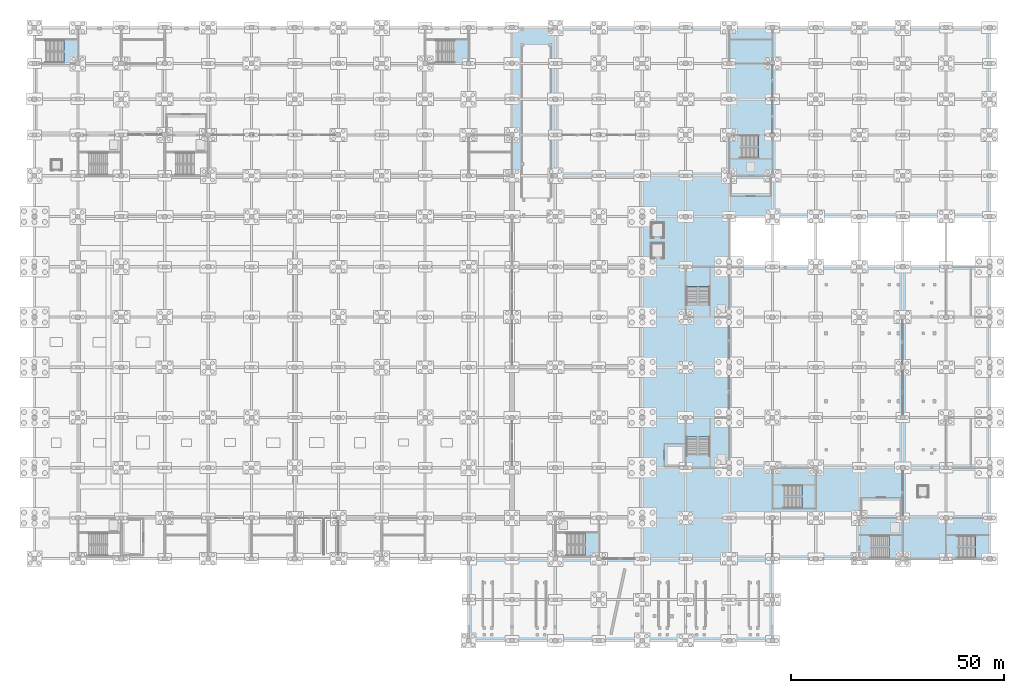
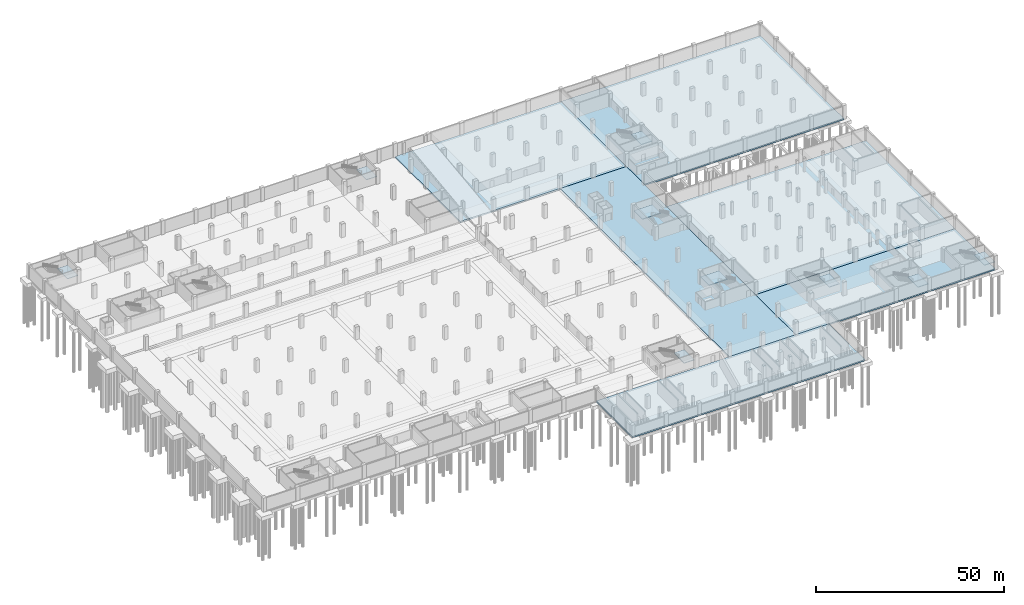
# One storey, part 26 of 52: 15 slabs, 9 elements without a shape of their own.
"""IFC4 building model written with IfcOpenShell, lengths in metres."""

from ifc_helpers import new_model, si_unit, direction, frame, origin, place, context, subcontext, project, spatial, polyline, outline, extrude, material, layer, layer_set, type_object, element, aggregate, save


model = new_model("IFC4")

# Units and contexts
model_context = context("Model", 3, precision=1e-05, world=origin(), true_north=direction((0.0, 1.0)))
body_context = subcontext(model_context, "Body", "Model", "MODEL_VIEW")
ifc_project = project(units=[si_unit("LENGTHUNIT", "METRE"), si_unit("AREAUNIT", "SQUARE_METRE"), si_unit("VOLUMEUNIT", "CUBIC_METRE"), si_unit("PLANEANGLEUNIT", "RADIAN"), si_unit("MASSUNIT", "GRAM", prefix="KILO")], contexts=[model_context])

# Site, building, storey
site_placement = place(None, origin())
site = spatial("IfcSite", under=ifc_project, at=site_placement, CompositionType="ELEMENT")
building_placement = place(site_placement, origin())
building = spatial("IfcBuilding", under=site, at=building_placement, Name="Brelvane Convention Centre", CompositionType="ELEMENT")
storey_placement = place(building_placement, frame((0.0, 0.0, -4.5)))
storey = spatial("IfcBuildingStorey", under=building, at=storey_placement, Name="B1", CompositionType="ELEMENT", Elevation=-4.5)

# Stair, slab
ifc_material_1 = material(Name="Concrete M40", Category="concrete")
stair_type_1 = type_object("IfcStairType", Name="Exit Stair ST-CORE", PredefinedType="HALF_TURN_STAIR", material=ifc_material_1)
stair_1_placement = place(storey_placement, origin())
stair_1 = element("IfcStair", 1, at=stair_1_placement, inside=storey, type_object=stair_type_1, Name="Exit Stair ST-02 (B1 to L00)", PredefinedType="HALF_TURN_STAIR")
ifc_material_2 = material(Name="Concrete M40", Category="concrete")
ifc_layer_1 = layer(ifc_material_2, 0.199951171875)
ifc_layer_set_1 = layer_set([ifc_layer_1], Name="Concrete M40")
slab_type_1 = type_object("IfcSlabType", Name="Stair Landing SL-LND-200", PredefinedType="LANDING", material=ifc_layer_set_1)
slab_1_placement = place(storey_placement, frame((0.0, 0.0, 2.050048828125)))
slab_1 = element("IfcSlab", 2, at=slab_1_placement, type_object=slab_type_1, Name="Stair ST-02 B1 Half Landing", PredefinedType="LANDING", context=body_context, shape_type="SweptSolid", body=[
    extrude(outline(polyline([(129.330078125, 19.8798828125), (132.52001953125, 19.8798828125), (132.52001953125, 25.320068359375), (129.330078125, 25.320068359375), (129.330078125, 19.8798828125)])), origin(), (0.0, 0.0, 1.0), 0.199951171875),
])
aggregate(stair_1, [slab_1])

stair_2_placement = place(storey_placement, origin())
stair_2 = element("IfcStair", 3, at=stair_2_placement, inside=storey, type_object=stair_type_1, Name="Exit Stair ST-05 (B1 to L00)", PredefinedType="HALF_TURN_STAIR")
slab_2_placement = place(storey_placement, frame((0.0, 0.0, 2.050048828125)))
slab_2 = element("IfcSlab", 4, at=slab_2_placement, type_object=slab_type_1, Name="Stair ST-05 B1 Half Landing", PredefinedType="LANDING", context=body_context, shape_type="SweptSolid", body=[
    extrude(outline(polyline([(170.1298828125, 113.280029296875), (173.320068359375, 113.280029296875), (173.320068359375, 118.719970703125), (170.1298828125, 118.719970703125), (170.1298828125, 113.280029296875)])), origin(), (0.0, 0.0, 1.0), 0.199951171875),
])
aggregate(stair_2, [slab_2])

stair_3_placement = place(storey_placement, origin())
stair_3 = element("IfcStair", 5, at=stair_3_placement, inside=storey, type_object=stair_type_1, Name="Exit Stair ST-08 (B1 to L00)", PredefinedType="HALF_TURN_STAIR")
slab_3_placement = place(storey_placement, frame((0.0, 0.0, 2.050048828125)))
slab_3 = element("IfcSlab", 6, at=slab_3_placement, type_object=slab_type_1, Name="Stair ST-08 B1 Half Landing", PredefinedType="LANDING", context=body_context, shape_type="SweptSolid", body=[
    extrude(outline(polyline([(200.72998046875, 19.280029296875), (203.919921875, 19.280029296875), (203.919921875, 24.719970703125), (200.72998046875, 24.719970703125), (200.72998046875, 19.280029296875)])), origin(), (0.0, 0.0, 1.0), 0.199951171875),
])
aggregate(stair_3, [slab_3])

stair_4_placement = place(storey_placement, origin())
stair_4 = element("IfcStair", 7, at=stair_4_placement, inside=storey, type_object=stair_type_1, Name="Exit Stair ST-12 (B1 to L00)", PredefinedType="HALF_TURN_STAIR")
slab_4_placement = place(storey_placement, frame((0.0, 0.0, 2.050048828125)))
slab_4 = element("IfcSlab", 8, at=slab_4_placement, type_object=slab_type_1, Name="Stair ST-12 B1 Half Landing", PredefinedType="LANDING", context=body_context, shape_type="SweptSolid", body=[
    extrude(outline(polyline([(98.72998046875, 135.679931640625), (101.919921875, 135.679931640625), (101.919921875, 141.1201171875), (98.72998046875, 141.1201171875), (98.72998046875, 135.679931640625)])), origin(), (0.0, 0.0, 1.0), 0.199951171875),
])
aggregate(stair_4, [slab_4])

stair_5_placement = place(storey_placement, origin())
stair_5 = element("IfcStair", 9, at=stair_5_placement, inside=storey, type_object=stair_type_1, Name="Exit Stair ST-14 (B1 to L00)", PredefinedType="HALF_TURN_STAIR")
slab_5_placement = place(storey_placement, frame((0.0, 0.0, 2.050048828125)))
slab_5 = element("IfcSlab", 10, at=slab_5_placement, type_object=slab_type_1, Name="Stair ST-14 B1 Half Landing", PredefinedType="LANDING", context=body_context, shape_type="SweptSolid", body=[
    extrude(outline(polyline([(221.1298828125, 19.280029296875), (224.320068359375, 19.280029296875), (224.320068359375, 24.719970703125), (221.1298828125, 24.719970703125), (221.1298828125, 19.280029296875)])), origin(), (0.0, 0.0, 1.0), 0.199951171875),
])
aggregate(stair_5, [slab_5])

stair_6_placement = place(storey_placement, origin())
stair_6 = element("IfcStair", 11, at=stair_6_placement, inside=storey, type_object=stair_type_1, Name="Exit Stair ST-17 (B1 to L00)", PredefinedType="HALF_TURN_STAIR")
slab_6_placement = place(storey_placement, frame((0.0, 0.0, 2.050048828125)))
slab_6 = element("IfcSlab", 12, at=slab_6_placement, type_object=slab_type_1, Name="Stair ST-17 B1 Half Landing", PredefinedType="LANDING", context=body_context, shape_type="SweptSolid", body=[
    extrude(outline(polyline([(6.929931640625, 135.679931640625), (10.1201171875, 135.679931640625), (10.1201171875, 141.1201171875), (6.929931640625, 141.1201171875), (6.929931640625, 135.679931640625)])), origin(), (0.0, 0.0, 1.0), 0.199951171875),
])
aggregate(stair_6, [slab_6])

stair_7_placement = place(storey_placement, origin())
stair_7 = element("IfcStair", 13, at=stair_7_placement, inside=storey, type_object=stair_type_1, Name="Exit Stair ST-18 (B1 to L00)", PredefinedType="HALF_TURN_STAIR")
slab_7_placement = place(storey_placement, frame((0.0, 0.0, 2.050048828125)))
slab_7 = element("IfcSlab", 14, at=slab_7_placement, type_object=slab_type_1, Name="Stair ST-18 B1 Half Landing", PredefinedType="LANDING", context=body_context, shape_type="SweptSolid", body=[
    extrude(outline(polyline([(180.330078125, 31.080078125), (183.52001953125, 31.080078125), (183.52001953125, 36.52001953125), (180.330078125, 36.52001953125), (180.330078125, 31.080078125)])), origin(), (0.0, 0.0, 1.0), 0.199951171875),
])
aggregate(stair_7, [slab_7])

ifc_material_3 = material(Name="Concrete M40", Category="concrete")
stair_type_2 = type_object("IfcStairType", Name="Exit Stair ST-ASM", PredefinedType="HALF_TURN_STAIR", material=ifc_material_3)
stair_8_placement = place(storey_placement, origin())
stair_8 = element("IfcStair", 15, at=stair_8_placement, inside=storey, type_object=stair_type_2, Name="Exit Stair ST-03 (B1 to L00)", PredefinedType="HALF_TURN_STAIR")
ifc_material_4 = material(Name="Concrete M40", Category="concrete")
ifc_layer_2 = layer(ifc_material_4, 0.219970703125)
ifc_layer_set_2 = layer_set([ifc_layer_2], Name="Concrete M40")
slab_type_2 = type_object("IfcSlabType", Name="Stair Landing SL-LND-220", PredefinedType="LANDING", material=ifc_layer_set_2)
slab_8_placement = place(storey_placement, frame((0.0, 0.0, 2.030029296875)))
slab_8 = element("IfcSlab", 16, at=slab_8_placement, type_object=slab_type_2, Name="Stair ST-03 B1 Half Landing", PredefinedType="LANDING", context=body_context, shape_type="SweptSolid", body=[
    extrude(outline(polyline([(153.080078125, 47.800048828125), (158.719970703125, 47.800048828125), (158.719970703125, 52.320068359375), (153.080078125, 52.320068359375), (153.080078125, 47.800048828125)])), origin(), (0.0, 0.0, 1.0), 0.219970703125),
])
aggregate(stair_8, [slab_8])

stair_9_placement = place(storey_placement, origin())
stair_9 = element("IfcStair", 17, at=stair_9_placement, inside=storey, type_object=stair_type_2, Name="Exit Stair ST-04 (B1 to L00)", PredefinedType="HALF_TURN_STAIR")
slab_9_placement = place(storey_placement, frame((0.0, 0.0, 2.030029296875)))
slab_9 = element("IfcSlab", 18, at=slab_9_placement, type_object=slab_type_2, Name="Stair ST-04 B1 Half Landing", PredefinedType="LANDING", context=body_context, shape_type="SweptSolid", body=[
    extrude(outline(polyline([(153.080078125, 83.199951171875), (158.719970703125, 83.199951171875), (158.719970703125, 87.719970703125), (153.080078125, 87.719970703125), (153.080078125, 83.199951171875)])), origin(), (0.0, 0.0, 1.0), 0.219970703125),
])
aggregate(stair_9, [slab_9])

# Slabs
ifc_material_5 = material(Name="Concrete M40", Category="concrete")
ifc_layer_3 = layer(ifc_material_5, 0.449951171875)
ifc_layer_set_3 = layer_set([ifc_layer_3], Name="Concrete M40")
slab_type_3 = type_object("IfcSlabType", Name="Structural Slab SL-MAT-450", PredefinedType="BASESLAB", material=ifc_layer_set_3)
slab_10_placement = place(storey_placement, frame((0.0, 0.0, -0.449951171875)))
element("IfcSlab", 19, at=slab_10_placement, inside=storey, type_object=slab_type_3, Name="B1 Mat Slab PLZ-C", PredefinedType="BASESLAB", context=body_context, shape_type="SweptSolid", body=[
    extrude(outline(polyline([(102.0, 0.0), (173.39990234375, 0.0), (173.39990234375, 19.199951171875), (102.0, 19.199951171875), (102.0, 0.0)])), origin(), (0.0, 0.0, 1.0), 0.449951171875),
])
slab_11_placement = place(storey_placement, frame((0.0, 0.0, -0.449951171875)))
element("IfcSlab", 20, at=slab_11_placement, inside=storey, type_object=slab_type_3, Name="B1 Mat Slab SPN", PredefinedType="BASESLAB", context=body_context, shape_type="SweptSolid", body=[
    extrude(outline(polyline([(142.800048828125, 19.199951171875), (163.199951171875, 19.199951171875), (163.199951171875, 109.199951171875), (142.800048828125, 109.199951171875), (142.800048828125, 19.199951171875)])), origin(), (0.0, 0.0, 1.0), 0.449951171875),
])
slab_12_placement = place(storey_placement, frame((0.0, 0.0, -0.449951171875)))
element("IfcSlab", 21, at=slab_12_placement, inside=storey, type_object=slab_type_3, Name="B1 Mat Slab V2", PredefinedType="BASESLAB", context=body_context, shape_type="SweptSolid", body=[
    extrude(outline(polyline([(163.199951171875, 40.60009765625), (224.39990234375, 40.60009765625), (224.39990234375, 87.800048828125), (163.199951171875, 87.800048828125), (163.199951171875, 40.60009765625)])), origin(), (0.0, 0.0, 1.0), 0.449951171875),
])
slab_13_placement = place(storey_placement, frame((0.0, 0.0, -0.449951171875)))
element("IfcSlab", 22, at=slab_13_placement, inside=storey, type_object=slab_type_3, Name="B1 Mat Slab V3", PredefinedType="BASESLAB", context=body_context, shape_type="SweptSolid", body=[
    extrude(outline(polyline([(163.199951171875, 99.60009765625), (224.39990234375, 99.60009765625), (224.39990234375, 144.0), (163.199951171875, 144.0), (163.199951171875, 99.60009765625)])), origin(), (0.0, 0.0, 1.0), 0.449951171875),
])
slab_14_placement = place(storey_placement, frame((0.0, 0.0, -0.449951171875)))
element("IfcSlab", 23, at=slab_14_placement, inside=storey, type_object=slab_type_3, Name="B1 Mat Slab SYD", PredefinedType="BASESLAB", context=body_context, shape_type="SweptSolid", body=[
    extrude(outline(polyline([(112.199951171875, 109.199951171875), (163.199951171875, 109.199951171875), (163.199951171875, 144.0), (112.199951171875, 144.0), (112.199951171875, 109.199951171875)])), origin(), (0.0, 0.0, 1.0), 0.449951171875),
])
slab_15_placement = place(storey_placement, frame((0.0, 0.0, -0.449951171875)))
element("IfcSlab", 24, at=slab_15_placement, inside=storey, type_object=slab_type_3, Name="B1 Mat Slab V5", PredefinedType="BASESLAB", context=body_context, shape_type="SweptSolid", body=[
    extrude(outline(polyline([(163.199951171875, 19.199951171875), (224.39990234375, 19.199951171875), (224.39990234375, 40.60009765625), (163.199951171875, 40.60009765625), (163.199951171875, 19.199951171875)])), origin(), (0.0, 0.0, 1.0), 0.449951171875),
])

save(model, "model.ifc")
